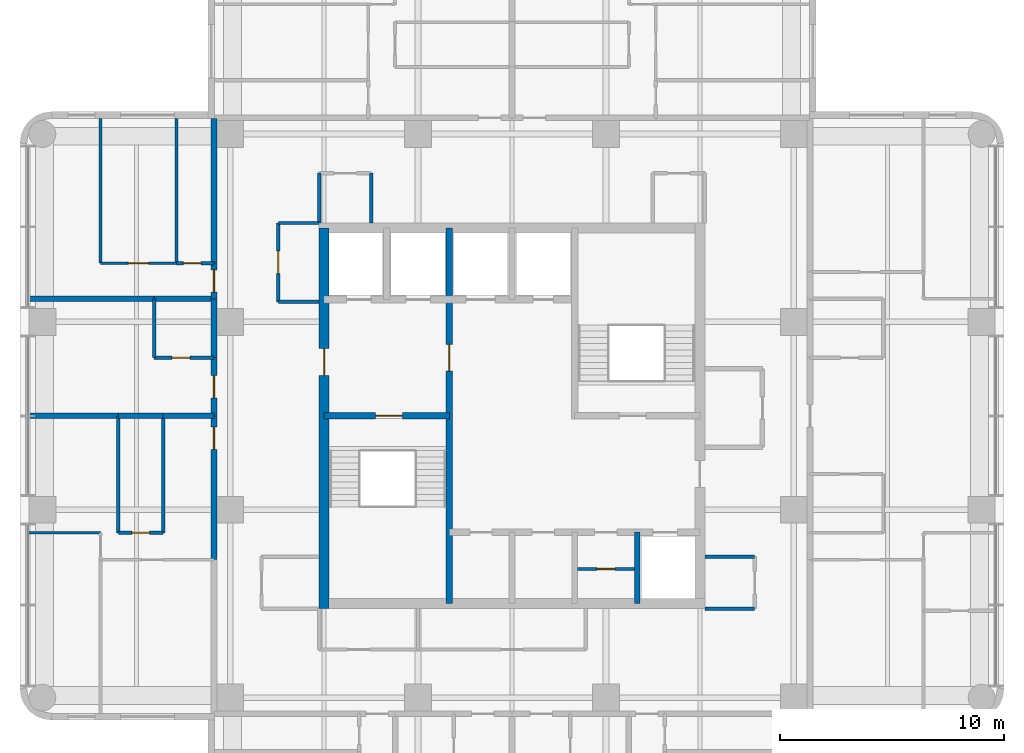
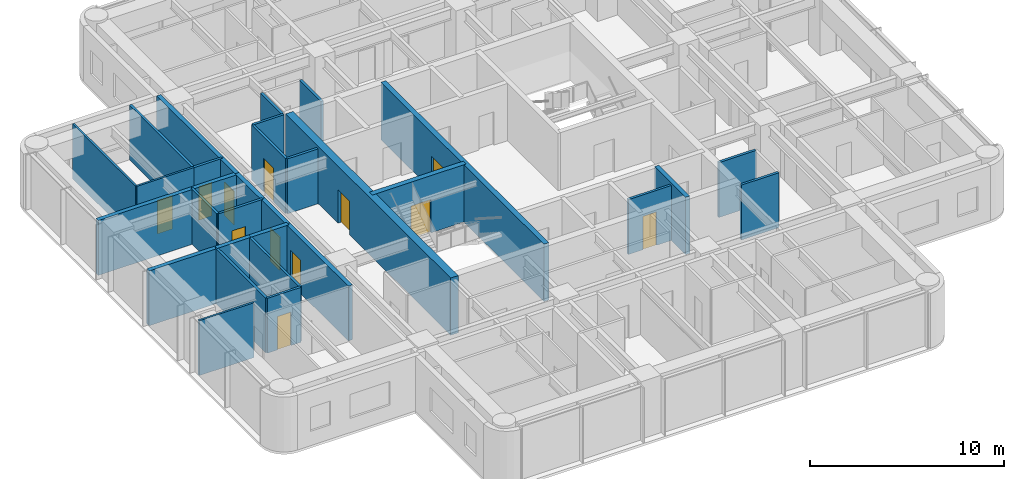
# One storey, part 5 of 10: 32 walls, 12 doors, 12 openings.
"""IFC4 building model written with IfcOpenShell, lengths in metres."""

from ifc_helpers import new_model, si_unit, direction, frame, frame_2d, origin, place, context, subcontext, project, spatial, rectangle, extrude, material, layer, layer_set, type_object, element, fill, save


model = new_model("IFC4")

# Units and contexts
model_context = context("Model", 3, precision=1e-05, world=origin(), true_north=direction((0.0, 1.0)))
body_context = subcontext(model_context, "Body", "Model", "MODEL_VIEW")
ifc_project = project(units=[si_unit("LENGTHUNIT", "METRE"), si_unit("AREAUNIT", "SQUARE_METRE"), si_unit("VOLUMEUNIT", "CUBIC_METRE"), si_unit("PLANEANGLEUNIT", "RADIAN"), si_unit("MASSUNIT", "GRAM", prefix="KILO")], contexts=[model_context])

# Site, building, storey
site_placement = place(None, origin())
site = spatial("IfcSite", under=ifc_project, at=site_placement, CompositionType="ELEMENT")
building_placement = place(site_placement, origin())
building = spatial("IfcBuilding", under=site, at=building_placement, Name="Torre Alcanfor", CompositionType="ELEMENT")
storey_placement = place(building_placement, frame((0.0, 0.0, 286.5)))
storey = spatial("IfcBuildingStorey", under=building, at=storey_placement, Name="L75", CompositionType="ELEMENT", Elevation=286.5)

# Wall, opening, door
ifc_material_1 = material(Name="Concrete block masonry, hollow blocks NMX-C-404 9 MPa", Category="masonry")
ifc_layer_1 = layer(ifc_material_1, 0.25)
ifc_layer_set_1 = layer_set([ifc_layer_1], Name="Apartment entrance wall 250 EI 60")
wall_type_1 = type_object("IfcWallType", Name="Apartment entrance wall 250 EI 60", PredefinedType="PARTITIONING", material=ifc_layer_set_1)
wall_1_placement = place(storey_placement, frame((16.074951171875, 22.970947265625, 0.0), z_axis=(0.0, 0.0, 1.0), x_axis=(0.0, 1.0, 0.0)))
wall_1 = element("IfcWall", 1, at=wall_1_placement, inside=storey, type_object=wall_type_1, Name="Partition L75-CORR / L75-W1-LIVING", PredefinedType="PARTITIONING", context=body_context, shape_type="SweptSolid", body=[
    extrude(rectangle(XDim=6.428955078125, YDim=0.25, at=frame_2d((3.21435546875, 0.0))), origin(), (0.0, 0.0, 1.0), 3.449951171875),
])
opening_1_placement = place(wall_1_placement, frame((4.928955078125, 0.0, 0.0)))
opening_1 = element("IfcOpeningElement", 2, at=opening_1_placement, cuts=wall_1, Name="Opening D-A1", PredefinedType="OPENING", context=body_context, shape_type="SweptSolid", body=[
    extrude(rectangle(XDim=1.0, YDim=2.10009765625, at=frame_2d((0.5, 1.050048828125))), frame((0.0, 0.135009765625, 0.0), z_axis=(0.0, -1.0, 0.0), x_axis=(1.0, 0.0, 0.0)), (0.0, 0.0, 1.0), 0.27001953125),
])
ifc_material_2 = material(Name="Galvanised steel sheet ASTM A653", Category="steel")
door_type_1 = type_object("IfcDoorType", Name="Apartment entrance door FD60 1000x2100", OperationType="SINGLE_SWING_LEFT", PredefinedType="DOOR", material=ifc_material_2)
door_1_placement = place(opening_1_placement, origin())
door_1 = element("IfcDoor", 3, at=door_1_placement, inside=storey, type_object=door_type_1, Name="Apartment entrance L75-W1", OperationType="SINGLE_SWING_RIGHT", OverallHeight=2.10009765625, OverallWidth=1.0, PredefinedType="DOOR", context=body_context, shape_type="SweptSolid", body=[
    extrude(rectangle(XDim=1.0, YDim=2.10009765625, at=frame_2d((0.5, 1.050048828125))), frame((0.0, 0.02490234375, 0.0), z_axis=(0.0, -1.0, 0.0), x_axis=(1.0, 0.0, 0.0)), (0.0, 0.0, 1.0), 0.050048828125),
])
fill(opening_1, door_1)

wall_2_placement = place(storey_placement, frame((16.074951171875, 29.39990234375, 0.0), z_axis=(0.0, 0.0, 1.0), x_axis=(0.0, 1.0, 0.0)))
wall_2 = element("IfcWall", 4, at=wall_2_placement, inside=storey, type_object=wall_type_1, Name="Partition L75-CORR / L75-W2A-STUDIO", PredefinedType="PARTITIONING", context=body_context, shape_type="SweptSolid", body=[
    extrude(rectangle(XDim=2.60009765625, YDim=0.25, at=frame_2d((1.300048828125, 0.0))), origin(), (0.0, 0.0, 1.0), 3.449951171875),
])
opening_2_placement = place(wall_2_placement, frame((0.800048828125, 0.0, 0.0)))
opening_2 = element("IfcOpeningElement", 5, at=opening_2_placement, cuts=wall_2, Name="Opening D-A1", PredefinedType="OPENING", context=body_context, shape_type="SweptSolid", body=[
    extrude(rectangle(XDim=1.0, YDim=2.10009765625, at=frame_2d((0.5, 1.050048828125))), frame((0.0, 0.135009765625, 0.0), z_axis=(0.0, -1.0, 0.0), x_axis=(1.0, 0.0, 0.0)), (0.0, 0.0, 1.0), 0.27001953125),
])
door_2_placement = place(opening_2_placement, origin())
door_2 = element("IfcDoor", 6, at=door_2_placement, inside=storey, type_object=door_type_1, Name="Apartment entrance L75-W2A", OperationType="SINGLE_SWING_LEFT", OverallHeight=2.10009765625, OverallWidth=1.0, PredefinedType="DOOR", context=body_context, shape_type="SweptSolid", body=[
    extrude(rectangle(XDim=1.0, YDim=2.10009765625, at=frame_2d((0.5, 1.050048828125))), frame((0.0, 0.02490234375, 0.0), z_axis=(0.0, -1.0, 0.0), x_axis=(1.0, 0.0, 0.0)), (0.0, 0.0, 1.0), 0.050048828125),
])
fill(opening_2, door_2)

# Wall
wall_3_placement = place(storey_placement, frame((16.074951171875, 32.0, 0.0), z_axis=(0.0, 0.0, 1.0), x_axis=(0.0, 1.0, 0.0)))
element("IfcWall", 7, at=wall_3_placement, inside=storey, type_object=wall_type_1, Name="Partition L75-CORR / L75-W2A-BATH", PredefinedType="PARTITIONING", context=body_context, shape_type="SweptSolid", body=[
    extrude(rectangle(XDim=2.62890625, YDim=0.25, at=frame_2d((1.314453125, 0.0))), origin(), (0.0, 0.0, 1.0), 3.449951171875),
])

# Wall, opening, door
wall_4_placement = place(storey_placement, frame((16.074951171875, 34.62890625, 0.0), z_axis=(0.0, 0.0, 1.0), x_axis=(0.0, 1.0, 0.0)))
wall_4 = element("IfcWall", 8, at=wall_4_placement, inside=storey, type_object=wall_type_1, Name="Partition L75-CORR / L75-W2B-LIVING", PredefinedType="PARTITIONING", context=body_context, shape_type="SweptSolid", body=[
    extrude(rectangle(XDim=1.60009765625, YDim=0.25, at=frame_2d((0.800048828125, 0.0))), origin(), (0.0, 0.0, 1.0), 3.449951171875),
])
opening_3_placement = place(wall_4_placement, frame((0.300048828125, 0.0, 0.0)))
opening_3 = element("IfcOpeningElement", 9, at=opening_3_placement, cuts=wall_4, Name="Opening D-A1", PredefinedType="OPENING", context=body_context, shape_type="SweptSolid", body=[
    extrude(rectangle(XDim=1.0, YDim=2.10009765625, at=frame_2d((0.5, 1.050048828125))), frame((0.0, 0.135009765625, 0.0), z_axis=(0.0, -1.0, 0.0), x_axis=(1.0, 0.0, 0.0)), (0.0, 0.0, 1.0), 0.27001953125),
])
door_3_placement = place(opening_3_placement, origin())
door_3 = element("IfcDoor", 10, at=door_3_placement, inside=storey, type_object=door_type_1, Name="Apartment entrance L75-W2B", OperationType="SINGLE_SWING_LEFT", OverallHeight=2.10009765625, OverallWidth=1.0, PredefinedType="DOOR", context=body_context, shape_type="SweptSolid", body=[
    extrude(rectangle(XDim=1.0, YDim=2.10009765625, at=frame_2d((0.5, 1.050048828125))), frame((0.0, 0.02490234375, 0.0), z_axis=(0.0, -1.0, 0.0), x_axis=(1.0, 0.0, 0.0)), (0.0, 0.0, 1.0), 0.050048828125),
])
fill(opening_3, door_3)

# Walls
wall_5_placement = place(storey_placement, frame((16.074951171875, 36.22900390625, 0.0), z_axis=(0.0, 0.0, 1.0), x_axis=(0.0, 1.0, 0.0)))
element("IfcWall", 11, at=wall_5_placement, inside=storey, type_object=wall_type_1, Name="Partition L75-CORR / L75-W2B-BATH", PredefinedType="PARTITIONING", context=body_context, shape_type="SweptSolid", body=[
    extrude(rectangle(XDim=6.470947265625, YDim=0.25, at=frame_2d((3.2353515625, 0.0))), origin(), (0.0, 0.0, 1.0), 3.449951171875),
])
ifc_material_3 = material(Name="Gypsum board on steel studs", Category="steel")
ifc_layer_2 = layer(ifc_material_3, 0.1201171875)
ifc_layer_set_2 = layer_set([ifc_layer_2], Name="Apartment partition 120")
wall_type_2 = type_object("IfcWallType", Name="Apartment partition 120", PredefinedType="PARTITIONING", material=ifc_layer_set_2)
wall_6_placement = place(storey_placement, frame((11.0, 24.1708984375, 0.0), z_axis=(0.0, 0.0, 1.0), x_axis=(-1.0, 0.0, 0.0)))
element("IfcWall", 12, at=wall_6_placement, inside=storey, type_object=wall_type_2, Name="Partition L75-W1-LIVING / L75-W1-MASTER", PredefinedType="PARTITIONING", context=body_context, shape_type="SweptSolid", body=[
    extrude(rectangle(XDim=3.25, YDim=0.1201171875, at=frame_2d((1.625, 0.0))), origin(), (0.0, 0.0, 1.0), 3.449951171875),
])
wall_7_placement = place(storey_placement, frame((11.0, 42.699951171875, 0.0), z_axis=(0.0, 0.0, 1.0), x_axis=(0.0, -1.0, 0.0)))
element("IfcWall", 13, at=wall_7_placement, inside=storey, type_object=wall_type_2, Name="Partition L75-W2B-LIVING / L75-W2B-MASTER", PredefinedType="PARTITIONING", context=body_context, shape_type="SweptSolid", body=[
    extrude(rectangle(XDim=6.470947265625, YDim=0.1201171875, at=frame_2d((3.2353515625, 0.0))), origin(), (0.0, 0.0, 1.0), 3.449951171875),
])

# Wall, opening, door
wall_8_placement = place(storey_placement, frame((11.0, 36.22900390625, 0.0), z_axis=(0.0, 0.0, 1.0), x_axis=(1.0, 0.0, 0.0)))
wall_8 = element("IfcWall", 14, at=wall_8_placement, inside=storey, type_object=wall_type_2, Name="Partition L75-W2B-LIVING / L75-W2B-MASTER", PredefinedType="PARTITIONING", context=body_context, shape_type="SweptSolid", body=[
    extrude(rectangle(XDim=3.39990234375, YDim=0.1201171875, at=frame_2d((1.699951171875, 0.0))), origin(), (0.0, 0.0, 1.0), 3.449951171875),
])
opening_4_placement = place(wall_8_placement, frame((1.25, 0.0, 0.0)))
opening_4 = element("IfcOpeningElement", 15, at=opening_4_placement, cuts=wall_8, Name="Opening D-R1", PredefinedType="OPENING", context=body_context, shape_type="SweptSolid", body=[
    extrude(rectangle(XDim=0.89990234375, YDim=2.10009765625, at=frame_2d((0.449951171875, 1.050048828125))), frame((0.0, 0.070068359375, 0.0), z_axis=(0.0, -1.0, 0.0), x_axis=(1.0, 0.0, 0.0)), (0.0, 0.0, 1.0), 0.14013671875),
])
ifc_material_4 = material(Name="Timber", Category="wood")
door_type_2 = type_object("IfcDoorType", Name="Internal door 900x2100", OperationType="SINGLE_SWING_LEFT", PredefinedType="DOOR", material=ifc_material_4)
door_4_placement = place(opening_4_placement, origin())
door_4 = element("IfcDoor", 16, at=door_4_placement, inside=storey, type_object=door_type_2, Name="Door L75-W2B master", OperationType="SINGLE_SWING_LEFT", OverallHeight=2.10009765625, OverallWidth=0.89990234375, PredefinedType="DOOR", context=body_context, shape_type="SweptSolid", body=[
    extrude(rectangle(XDim=0.89990234375, YDim=2.10009765625, at=frame_2d((0.449951171875, 1.050048828125))), frame((0.0, 0.02490234375, 0.0), z_axis=(0.0, -1.0, 0.0), x_axis=(1.0, 0.0, 0.0)), (0.0, 0.0, 1.0), 0.050048828125),
])
fill(opening_4, door_4)

ifc_material_5 = material(Name="Concrete f'c 70 MPa", Category="concrete")
ifc_layer_3 = layer(ifc_material_5, 0.300048828125)
ifc_layer_set_3 = layer_set([ifc_layer_3], Name="Core inner wall 300 f'c70")
wall_type_3 = type_object("IfcWallType", Name="Core inner wall 300 f'c70", PredefinedType="SHEAR", material=ifc_layer_set_3)
wall_9_placement = place(storey_placement, frame((26.60009765625, 21.0, 0.0), z_axis=(0.0, 0.0, 1.0), x_axis=(0.0, 1.0, 0.0)))
wall_9 = element("IfcWall", 17, at=wall_9_placement, inside=storey, type_object=wall_type_3, Name="Core wall X266 L75", PredefinedType="SHEAR", context=body_context, shape_type="SweptSolid", body=[
    extrude(rectangle(XDim=16.800048828125, YDim=0.300048828125, at=frame_2d((8.39990234375, 0.0))), origin(), (0.0, 0.0, 1.0), 3.60009765625),
])
opening_5_placement = place(wall_9_placement, frame((10.39990234375, 0.0, 0.0)))
opening_5 = element("IfcOpeningElement", 18, at=opening_5_placement, cuts=wall_9, Name="Opening D-L1", PredefinedType="OPENING", context=body_context, shape_type="SweptSolid", body=[
    extrude(rectangle(XDim=1.199951171875, YDim=2.10009765625, at=frame_2d((0.60009765625, 1.050048828125))), frame((0.0, 0.159912109375, 0.0), z_axis=(0.0, -1.0, 0.0), x_axis=(1.0, 0.0, 0.0)), (0.0, 0.0, 1.0), 0.320068359375),
])
ifc_material_6 = material(Name="Galvanised steel sheet ASTM A653", Category="steel")
door_type_3 = type_object("IfcDoorType", Name="Lobby door FD120 1200x2100", OperationType="SINGLE_SWING_LEFT", PredefinedType="DOOR", material=ifc_material_6)
door_5_placement = place(opening_5_placement, origin())
door_5 = element("IfcDoor", 19, at=door_5_placement, inside=storey, type_object=door_type_3, Name="Lift lobby door L75", OperationType="SINGLE_SWING_LEFT", OverallHeight=2.10009765625, OverallWidth=1.199951171875, PredefinedType="DOOR", context=body_context, shape_type="SweptSolid", body=[
    extrude(rectangle(XDim=1.199951171875, YDim=2.10009765625, at=frame_2d((0.60009765625, 1.050048828125))), frame((0.0, 0.02490234375, 0.0), z_axis=(0.0, -1.0, 0.0), x_axis=(1.0, 0.0, 0.0)), (0.0, 0.0, 1.0), 0.050048828125),
])
fill(opening_5, door_5)

wall_10_placement = place(storey_placement, frame((21.0, 29.39990234375, 0.0), z_axis=(0.0, 0.0, 1.0), x_axis=(1.0, 0.0, 0.0)))
wall_10 = element("IfcWall", 20, at=wall_10_placement, inside=storey, type_object=wall_type_3, Name="Core wall Y294W L75", PredefinedType="SHEAR", context=body_context, shape_type="SweptSolid", body=[
    extrude(rectangle(XDim=5.60009765625, YDim=0.300048828125, at=frame_2d((2.800048828125, 0.0))), origin(), (0.0, 0.0, 1.0), 3.60009765625),
])
opening_6_placement = place(wall_10_placement, frame((2.300048828125, 0.0, 0.0)))
opening_6 = element("IfcOpeningElement", 21, at=opening_6_placement, cuts=wall_10, Name="Opening D-S2", PredefinedType="OPENING", context=body_context, shape_type="SweptSolid", body=[
    extrude(rectangle(XDim=1.199951171875, YDim=2.10009765625, at=frame_2d((0.60009765625, 1.050048828125))), frame((0.0, 0.159912109375, 0.0), z_axis=(0.0, -1.0, 0.0), x_axis=(1.0, 0.0, 0.0)), (0.0, 0.0, 1.0), 0.320068359375),
])
ifc_material_7 = material(Name="Galvanised steel sheet ASTM A653", Category="steel")
door_type_4 = type_object("IfcDoorType", Name="Stair enclosure door FD120 1200x2100", OperationType="SINGLE_SWING_LEFT", PredefinedType="DOOR", material=ifc_material_7)
door_6_placement = place(opening_6_placement, frame((1.199951171875, 0.0, 0.0), z_axis=(0.0, 0.0, 1.0), x_axis=(-1.0, 0.0, 0.0)))
door_6 = element("IfcDoor", 22, at=door_6_placement, inside=storey, type_object=door_type_4, Name="Stair S1 door L75", OperationType="SINGLE_SWING_LEFT", OverallHeight=2.10009765625, OverallWidth=1.199951171875, PredefinedType="DOOR", context=body_context, shape_type="SweptSolid", body=[
    extrude(rectangle(XDim=1.199951171875, YDim=2.10009765625, at=frame_2d((0.599853515625, 1.050048828125))), frame((0.0, 0.025146484375, 0.0), z_axis=(0.0, -1.0, 0.0), x_axis=(1.0, 0.0, 0.0)), (0.0, 0.0, 1.0), 0.050048828125),
])
fill(opening_6, door_6)

# Wall
ifc_material_8 = material(Name="Concrete f'c 70 MPa", Category="concrete")
ifc_layer_4 = layer(ifc_material_8, 0.25)
ifc_layer_set_4 = layer_set([ifc_layer_4], Name="Core shaft wall 250 f'c70")
wall_type_4 = type_object("IfcWallType", Name="Core shaft wall 250 f'c70", PredefinedType="SHEAR", material=ifc_layer_set_4)
wall_11_placement = place(storey_placement, frame((35.0, 21.0, 0.0), z_axis=(0.0, 0.0, 1.0), x_axis=(0.0, 1.0, 0.0)))
element("IfcWall", 23, at=wall_11_placement, inside=storey, type_object=wall_type_4, Name="Core wall X350S L75", PredefinedType="SHEAR", context=body_context, shape_type="SweptSolid", body=[
    extrude(rectangle(XDim=3.199951171875, YDim=0.25, at=frame_2d((1.60009765625, 0.0))), origin(), (0.0, 0.0, 1.0), 3.60009765625),
])

# Wall, opening, door
ifc_material_9 = material(Name="Concrete f'c 70 MPa", Category="concrete")
ifc_layer_5 = layer(ifc_material_9, 0.449951171875)
ifc_layer_set_5 = layer_set([ifc_layer_5], Name="Core wall 450 f'c70")
wall_type_5 = type_object("IfcWallType", Name="Core wall 450 f'c70", PredefinedType="SHEAR", material=ifc_layer_set_5)
wall_12_placement = place(storey_placement, frame((21.0, 37.800048828125, 0.0), z_axis=(0.0, 0.0, 1.0), x_axis=(0.0, -1.0, 0.0)))
wall_12 = element("IfcWall", 24, at=wall_12_placement, inside=storey, type_object=wall_type_5, Name="Core wall OUT-W L75", PredefinedType="SHEAR", context=body_context, shape_type="SweptSolid", body=[
    extrude(rectangle(XDim=17.025146484375, YDim=0.449951171875, at=frame_2d((8.5126953125, 0.0))), origin(), (0.0, 0.0, 1.0), 3.60009765625),
])
opening_7_placement = place(wall_12_placement, frame((5.39990234375, 0.0, 0.0)))
opening_7 = element("IfcOpeningElement", 25, at=opening_7_placement, cuts=wall_12, Name="Opening D-L1", PredefinedType="OPENING", context=body_context, shape_type="SweptSolid", body=[
    extrude(rectangle(XDim=1.199951171875, YDim=2.10009765625, at=frame_2d((0.60009765625, 1.050048828125))), frame((0.0, 0.23486328125, 0.0), z_axis=(0.0, -1.0, 0.0), x_axis=(1.0, 0.0, 0.0)), (0.0, 0.0, 1.0), 0.469970703125),
])
door_7_placement = place(opening_7_placement, origin())
door_7 = element("IfcDoor", 26, at=door_7_placement, inside=storey, type_object=door_type_3, Name="Firefighting lobby door L75", OperationType="SINGLE_SWING_RIGHT", OverallHeight=2.10009765625, OverallWidth=1.199951171875, PredefinedType="DOOR", context=body_context, shape_type="SweptSolid", body=[
    extrude(rectangle(XDim=1.199951171875, YDim=2.10009765625, at=frame_2d((0.60009765625, 1.050048828125))), frame((0.0, 0.02490234375, 0.0), z_axis=(0.0, -1.0, 0.0), x_axis=(1.0, 0.0, 0.0)), (0.0, 0.0, 1.0), 0.050048828125),
])
fill(opening_7, door_7)

# Walls
ifc_material_10 = material(Name="Concrete block masonry, hollow blocks NMX-C-404 9 MPa", Category="masonry")
ifc_layer_6 = layer(ifc_material_10, 0.25)
ifc_layer_set_6 = layer_set([ifc_layer_6], Name="Party wall 250 EI 60")
wall_type_6 = type_object("IfcWallType", Name="Party wall 250 EI 60", PredefinedType="PARTITIONING", material=ifc_layer_set_6)
wall_13_placement = place(storey_placement, frame((13.800048828125, 29.39990234375, 0.0), z_axis=(0.0, 0.0, 1.0), x_axis=(-1.0, 0.0, 0.0)))
element("IfcWall", 27, at=wall_13_placement, inside=storey, type_object=wall_type_6, Name="Partition L75-W1-BATH / L75-W2A-STUDIO", PredefinedType="PARTITIONING", context=body_context, shape_type="SweptSolid", body=[
    extrude(rectangle(XDim=2.0, YDim=0.25, at=frame_2d((1.0, 0.0))), origin(), (0.0, 0.0, 1.0), 3.449951171875),
])
wall_14_placement = place(storey_placement, frame((7.75, 29.39990234375, 0.0), z_axis=(0.0, 0.0, 1.0), x_axis=(1.0, 0.0, 0.0)))
element("IfcWall", 28, at=wall_14_placement, inside=storey, type_object=wall_type_6, Name="Partition L75-W1-LIVING / L75-W2A-STUDIO", PredefinedType="PARTITIONING", context=body_context, shape_type="SweptSolid", body=[
    extrude(rectangle(XDim=4.050048828125, YDim=0.25, at=frame_2d((2.02490234375, 0.0))), origin(), (0.0, 0.0, 1.0), 3.449951171875),
])
wall_15_placement = place(storey_placement, frame((13.800048828125, 29.39990234375, 0.0), z_axis=(0.0, 0.0, 1.0), x_axis=(1.0, 0.0, 0.0)))
element("IfcWall", 29, at=wall_15_placement, inside=storey, type_object=wall_type_6, Name="Partition L75-W1-LIVING / L75-W2A-STUDIO", PredefinedType="PARTITIONING", context=body_context, shape_type="SweptSolid", body=[
    extrude(rectangle(XDim=2.27490234375, YDim=0.25, at=frame_2d((1.137451171875, 0.0))), origin(), (0.0, 0.0, 1.0), 3.449951171875),
])
wall_16_placement = place(storey_placement, frame((7.75, 34.62890625, 0.0), z_axis=(0.0, 0.0, 1.0), x_axis=(1.0, 0.0, 0.0)))
element("IfcWall", 30, at=wall_16_placement, inside=storey, type_object=wall_type_6, Name="Partition L75-W2A-STUDIO / L75-W2B-LIVING", PredefinedType="PARTITIONING", context=body_context, shape_type="SweptSolid", body=[
    extrude(rectangle(XDim=5.64990234375, YDim=0.25, at=frame_2d((2.824951171875, 0.0))), origin(), (0.0, 0.0, 1.0), 3.449951171875),
])
wall_17_placement = place(storey_placement, frame((13.39990234375, 34.62890625, 0.0), z_axis=(0.0, 0.0, 1.0), x_axis=(1.0, 0.0, 0.0)))
element("IfcWall", 31, at=wall_17_placement, inside=storey, type_object=wall_type_6, Name="Partition L75-W2A-BATH / L75-W2B-LIVING", PredefinedType="PARTITIONING", context=body_context, shape_type="SweptSolid", body=[
    extrude(rectangle(XDim=2.675048828125, YDim=0.25, at=frame_2d((1.33740234375, 0.0))), origin(), (0.0, 0.0, 1.0), 3.449951171875),
])
ifc_material_11 = material(Name="Concrete block masonry, hollow blocks NMX-C-404 9 MPa", Category="masonry")
ifc_layer_7 = layer(ifc_material_11, 0.14990234375)
ifc_layer_set_7 = layer_set([ifc_layer_7], Name="Residents' room partition 150")
wall_type_7 = type_object("IfcWallType", Name="Residents' room partition 150", PredefinedType="PARTITIONING", material=ifc_layer_set_7)
for number, where, z_axis, x_axis, name in (
    (32, (23.10009765625, 38.02490234375, 0.0), (0.0, 0.0, 1.0), (0.0, 1.0, 0.0), "Partition L75-CORR / L75-G01"),
    (33, (20.77490234375, 40.25, 0.0), (0.0, 0.0, 1.0), (0.0, -1.0, 0.0), "Partition L75-CORR / L75-G01"),
    (34, (38.02490234375, 20.77490234375, 0.0), (0.0, 0.0, 1.0), (1.0, 0.0, 0.0), "Partition L75-CORR / L75-G03"),
    (35, (40.25, 23.10009765625, 0.0), (0.0, 0.0, 1.0), (-1.0, 0.0, 0.0), "Partition L75-CORR / L75-G03"),
):
    element("IfcWall", number, at=place(storey_placement, frame(where, z_axis=z_axis, x_axis=x_axis)), inside=storey, type_object=wall_type_7, Name=name, PredefinedType="PARTITIONING", context=body_context, shape_type="SweptSolid", body=[
        extrude(rectangle(XDim=2.22509765625, YDim=0.14990234375, at=frame_2d((1.112548828125, 0.0))), origin(), (0.0, 0.0, 1.0), 3.449951171875),
    ])
wall_18_placement = place(storey_placement, frame((20.77490234375, 38.02490234375, 0.0), z_axis=(0.0, 0.0, 1.0), x_axis=(-1.0, 0.0, 0.0)))
element("IfcWall", 36, at=wall_18_placement, inside=storey, type_object=wall_type_7, Name="Partition L75-CORR / L75-G08", PredefinedType="PARTITIONING", context=body_context, shape_type="SweptSolid", body=[
    extrude(rectangle(XDim=1.824951171875, YDim=0.14990234375, at=frame_2d((0.91259765625, 0.0))), origin(), (0.0, 0.0, 1.0), 3.449951171875),
])

# Wall, opening, door
wall_19_placement = place(storey_placement, frame((18.949951171875, 38.02490234375, 0.0), z_axis=(0.0, 0.0, 1.0), x_axis=(0.0, -1.0, 0.0)))
wall_19 = element("IfcWall", 37, at=wall_19_placement, inside=storey, type_object=wall_type_7, Name="Partition L75-CORR / L75-G08", PredefinedType="PARTITIONING", context=body_context, shape_type="SweptSolid", body=[
    extrude(rectangle(XDim=3.52490234375, YDim=0.14990234375, at=frame_2d((1.762451171875, 0.0))), origin(), (0.0, 0.0, 1.0), 3.449951171875),
])
opening_8_placement = place(wall_19_placement, frame((1.262451171875, 0.0, 0.0)))
opening_8 = element("IfcOpeningElement", 38, at=opening_8_placement, cuts=wall_19, Name="Opening D-M1", PredefinedType="OPENING", context=body_context, shape_type="SweptSolid", body=[
    extrude(rectangle(XDim=1.0, YDim=2.10009765625, at=frame_2d((0.5, 1.050048828125))), frame((0.0, 0.0849609375, 0.0), z_axis=(0.0, -1.0, 0.0), x_axis=(1.0, 0.0, 0.0)), (0.0, 0.0, 1.0), 0.169921875),
])
ifc_material_12 = material(Name="Timber", Category="wood")
door_type_5 = type_object("IfcDoorType", Name="Residents' room door 1000x2100", OperationType="SINGLE_SWING_LEFT", PredefinedType="DOOR", material=ifc_material_12)
door_8_placement = place(opening_8_placement, origin())
door_8 = element("IfcDoor", 39, at=door_8_placement, inside=storey, type_object=door_type_5, Name="Door L75-G08 parcel room", OperationType="SINGLE_SWING_LEFT", OverallHeight=2.10009765625, OverallWidth=1.0, PredefinedType="DOOR", context=body_context, shape_type="SweptSolid", body=[
    extrude(rectangle(XDim=1.0, YDim=2.10009765625, at=frame_2d((0.5, 1.050048828125))), frame((0.0, 0.02490234375, 0.0), z_axis=(0.0, -1.0, 0.0), x_axis=(1.0, 0.0, 0.0)), (0.0, 0.0, 1.0), 0.050048828125),
])
fill(opening_8, door_8)

# Wall
wall_20_placement = place(storey_placement, frame((18.949951171875, 34.5, 0.0), z_axis=(0.0, 0.0, 1.0), x_axis=(1.0, 0.0, 0.0)))
element("IfcWall", 40, at=wall_20_placement, inside=storey, type_object=wall_type_7, Name="Partition L75-CORR / L75-G08", PredefinedType="PARTITIONING", context=body_context, shape_type="SweptSolid", body=[
    extrude(rectangle(XDim=1.824951171875, YDim=0.14990234375, at=frame_2d((0.91259765625, 0.0))), origin(), (0.0, 0.0, 1.0), 3.449951171875),
])

# Wall, opening, door
wall_21_placement = place(storey_placement, frame((32.324951171875, 22.550048828125, 0.0), z_axis=(0.0, 0.0, 1.0), x_axis=(1.0, 0.0, 0.0)))
wall_21 = element("IfcWall", 41, at=wall_21_placement, inside=storey, type_object=wall_type_7, Name="Partition L75-PA3R / L75-PA3C", PredefinedType="PARTITIONING", context=body_context, shape_type="SweptSolid", body=[
    extrude(rectangle(XDim=2.550048828125, YDim=0.14990234375, at=frame_2d((1.27490234375, 0.0))), origin(), (0.0, 0.0, 1.0), 3.449951171875),
])
opening_9_placement = place(wall_21_placement, frame((0.875, 0.0, 0.0)))
opening_9 = element("IfcOpeningElement", 42, at=opening_9_placement, cuts=wall_21, Name="Opening D-R2", PredefinedType="OPENING", context=body_context, shape_type="SweptSolid", body=[
    extrude(rectangle(XDim=0.800048828125, YDim=2.10009765625, at=frame_2d((0.39990234375, 1.050048828125))), frame((0.0, 0.0849609375, 0.0), z_axis=(0.0, -1.0, 0.0), x_axis=(1.0, 0.0, 0.0)), (0.0, 0.0, 1.0), 0.169921875),
])
ifc_material_13 = material(Name="Timber", Category="wood")
door_type_6 = type_object("IfcDoorType", Name="Bathroom door 800x2100", OperationType="SINGLE_SWING_LEFT", PredefinedType="DOOR", material=ifc_material_13)
door_9_placement = place(opening_9_placement, frame((0.800048828125, 0.0, 0.0), z_axis=(0.0, 0.0, 1.0), x_axis=(-1.0, 0.0, 0.0)))
door_9 = element("IfcDoor", 43, at=door_9_placement, inside=storey, type_object=door_type_6, Name="Spares cupboard door L75", OperationType="SINGLE_SWING_RIGHT", OverallHeight=2.10009765625, OverallWidth=0.800048828125, PredefinedType="DOOR", context=body_context, shape_type="SweptSolid", body=[
    extrude(rectangle(XDim=0.800048828125, YDim=2.10009765625, at=frame_2d((0.400146484375, 1.050048828125))), frame((0.0, 0.025146484375, 0.0), z_axis=(0.0, -1.0, 0.0), x_axis=(1.0, 0.0, 0.0)), (0.0, 0.0, 1.0), 0.050048828125),
])
fill(opening_9, door_9)

# Wall
ifc_material_14 = material(Name="Cement board on steel studs", Category="steel")
ifc_layer_8 = layer(ifc_material_14, 0.14990234375)
ifc_layer_set_8 = layer_set([ifc_layer_8], Name="Wet area partition 150")
wall_type_8 = type_object("IfcWallType", Name="Wet area partition 150", PredefinedType="PARTITIONING", material=ifc_layer_set_8)
wall_22_placement = place(storey_placement, frame((11.800048828125, 29.39990234375, 0.0), z_axis=(0.0, 0.0, 1.0), x_axis=(0.0, -1.0, 0.0)))
element("IfcWall", 44, at=wall_22_placement, inside=storey, type_object=wall_type_8, Name="Partition L75-W1-BATH / L75-W1-LIVING", PredefinedType="PARTITIONING", context=body_context, shape_type="SweptSolid", body=[
    extrude(rectangle(XDim=5.22900390625, YDim=0.14990234375, at=frame_2d((2.614501953125, 0.0))), origin(), (0.0, 0.0, 1.0), 3.449951171875),
])

# Wall, opening, door
wall_23_placement = place(storey_placement, frame((11.800048828125, 24.1708984375, 0.0), z_axis=(0.0, 0.0, 1.0), x_axis=(1.0, 0.0, 0.0)))
wall_23 = element("IfcWall", 45, at=wall_23_placement, inside=storey, type_object=wall_type_8, Name="Partition L75-W1-BATH / L75-W1-LIVING", PredefinedType="PARTITIONING", context=body_context, shape_type="SweptSolid", body=[
    extrude(rectangle(XDim=2.0, YDim=0.14990234375, at=frame_2d((1.0, 0.0))), origin(), (0.0, 0.0, 1.0), 3.449951171875),
])
opening_10_placement = place(wall_23_placement, frame((0.60009765625, 0.0, 0.0)))
opening_10 = element("IfcOpeningElement", 46, at=opening_10_placement, cuts=wall_23, Name="Opening D-R2", PredefinedType="OPENING", context=body_context, shape_type="SweptSolid", body=[
    extrude(rectangle(XDim=0.800048828125, YDim=2.10009765625, at=frame_2d((0.39990234375, 1.050048828125))), frame((0.0, 0.0849609375, 0.0), z_axis=(0.0, -1.0, 0.0), x_axis=(1.0, 0.0, 0.0)), (0.0, 0.0, 1.0), 0.169921875),
])
door_10_placement = place(opening_10_placement, origin())
door_10 = element("IfcDoor", 47, at=door_10_placement, inside=storey, type_object=door_type_6, Name="Door L75-W1 bath", OperationType="SINGLE_SWING_LEFT", OverallHeight=2.10009765625, OverallWidth=0.800048828125, PredefinedType="DOOR", context=body_context, shape_type="SweptSolid", body=[
    extrude(rectangle(XDim=0.800048828125, YDim=2.10009765625, at=frame_2d((0.39990234375, 1.050048828125))), frame((0.0, 0.02490234375, 0.0), z_axis=(0.0, -1.0, 0.0), x_axis=(1.0, 0.0, 0.0)), (0.0, 0.0, 1.0), 0.050048828125),
])
fill(opening_10, door_10)

# Walls
wall_24_placement = place(storey_placement, frame((13.800048828125, 24.1708984375, 0.0), z_axis=(0.0, 0.0, 1.0), x_axis=(0.0, 1.0, 0.0)))
element("IfcWall", 48, at=wall_24_placement, inside=storey, type_object=wall_type_8, Name="Partition L75-W1-BATH / L75-W1-LIVING", PredefinedType="PARTITIONING", context=body_context, shape_type="SweptSolid", body=[
    extrude(rectangle(XDim=5.22900390625, YDim=0.14990234375, at=frame_2d((2.614501953125, 0.0))), origin(), (0.0, 0.0, 1.0), 3.449951171875),
])
wall_25_placement = place(storey_placement, frame((13.39990234375, 34.62890625, 0.0), z_axis=(0.0, 0.0, 1.0), x_axis=(0.0, -1.0, 0.0)))
element("IfcWall", 49, at=wall_25_placement, inside=storey, type_object=wall_type_8, Name="Partition L75-W2A-STUDIO / L75-W2A-BATH", PredefinedType="PARTITIONING", context=body_context, shape_type="SweptSolid", body=[
    extrude(rectangle(XDim=2.62890625, YDim=0.14990234375, at=frame_2d((1.314453125, 0.0))), origin(), (0.0, 0.0, 1.0), 3.449951171875),
])

# Wall, opening, door
wall_26_placement = place(storey_placement, frame((13.39990234375, 32.0, 0.0), z_axis=(0.0, 0.0, 1.0), x_axis=(1.0, 0.0, 0.0)))
wall_26 = element("IfcWall", 50, at=wall_26_placement, inside=storey, type_object=wall_type_8, Name="Partition L75-W2A-STUDIO / L75-W2A-BATH", PredefinedType="PARTITIONING", context=body_context, shape_type="SweptSolid", body=[
    extrude(rectangle(XDim=2.675048828125, YDim=0.14990234375, at=frame_2d((1.33740234375, 0.0))), origin(), (0.0, 0.0, 1.0), 3.449951171875),
])
opening_11_placement = place(wall_26_placement, frame((0.800048828125, 0.0, 0.0)))
opening_11 = element("IfcOpeningElement", 51, at=opening_11_placement, cuts=wall_26, Name="Opening D-R2", PredefinedType="OPENING", context=body_context, shape_type="SweptSolid", body=[
    extrude(rectangle(XDim=0.800048828125, YDim=2.10009765625, at=frame_2d((0.39990234375, 1.050048828125))), frame((0.0, 0.0849609375, 0.0), z_axis=(0.0, -1.0, 0.0), x_axis=(1.0, 0.0, 0.0)), (0.0, 0.0, 1.0), 0.169921875),
])
door_11_placement = place(opening_11_placement, origin())
door_11 = element("IfcDoor", 52, at=door_11_placement, inside=storey, type_object=door_type_6, Name="Door L75-W2A bath", OperationType="SINGLE_SWING_LEFT", OverallHeight=2.10009765625, OverallWidth=0.800048828125, PredefinedType="DOOR", context=body_context, shape_type="SweptSolid", body=[
    extrude(rectangle(XDim=0.800048828125, YDim=2.10009765625, at=frame_2d((0.39990234375, 1.050048828125))), frame((0.0, 0.02490234375, 0.0), z_axis=(0.0, -1.0, 0.0), x_axis=(1.0, 0.0, 0.0)), (0.0, 0.0, 1.0), 0.050048828125),
])
fill(opening_11, door_11)

wall_27_placement = place(storey_placement, frame((14.39990234375, 36.22900390625, 0.0), z_axis=(0.0, 0.0, 1.0), x_axis=(1.0, 0.0, 0.0)))
wall_27 = element("IfcWall", 53, at=wall_27_placement, inside=storey, type_object=wall_type_8, Name="Partition L75-W2B-LIVING / L75-W2B-BATH", PredefinedType="PARTITIONING", context=body_context, shape_type="SweptSolid", body=[
    extrude(rectangle(XDim=1.675048828125, YDim=0.14990234375, at=frame_2d((0.83740234375, 0.0))), origin(), (0.0, 0.0, 1.0), 3.449951171875),
])
opening_12_placement = place(wall_27_placement, frame((0.300048828125, 0.0, 0.0)))
opening_12 = element("IfcOpeningElement", 54, at=opening_12_placement, cuts=wall_27, Name="Opening D-R2", PredefinedType="OPENING", context=body_context, shape_type="SweptSolid", body=[
    extrude(rectangle(XDim=0.800048828125, YDim=2.10009765625, at=frame_2d((0.39990234375, 1.050048828125))), frame((0.0, 0.0849609375, 0.0), z_axis=(0.0, -1.0, 0.0), x_axis=(1.0, 0.0, 0.0)), (0.0, 0.0, 1.0), 0.169921875),
])
door_12_placement = place(opening_12_placement, origin())
door_12 = element("IfcDoor", 55, at=door_12_placement, inside=storey, type_object=door_type_6, Name="Door L75-W2B bath", OperationType="SINGLE_SWING_LEFT", OverallHeight=2.10009765625, OverallWidth=0.800048828125, PredefinedType="DOOR", context=body_context, shape_type="SweptSolid", body=[
    extrude(rectangle(XDim=0.800048828125, YDim=2.10009765625, at=frame_2d((0.39990234375, 1.050048828125))), frame((0.0, 0.02490234375, 0.0), z_axis=(0.0, -1.0, 0.0), x_axis=(1.0, 0.0, 0.0)), (0.0, 0.0, 1.0), 0.050048828125),
])
fill(opening_12, door_12)

# Wall
wall_28_placement = place(storey_placement, frame((14.39990234375, 36.22900390625, 0.0), z_axis=(0.0, 0.0, 1.0), x_axis=(0.0, 1.0, 0.0)))
element("IfcWall", 56, at=wall_28_placement, inside=storey, type_object=wall_type_8, Name="Partition L75-W2B-BATH / L75-W2B-MASTER", PredefinedType="PARTITIONING", context=body_context, shape_type="SweptSolid", body=[
    extrude(rectangle(XDim=6.470947265625, YDim=0.14990234375, at=frame_2d((3.2353515625, 0.0))), origin(), (0.0, 0.0, 1.0), 3.449951171875),
])

save(model, "model.ifc")
